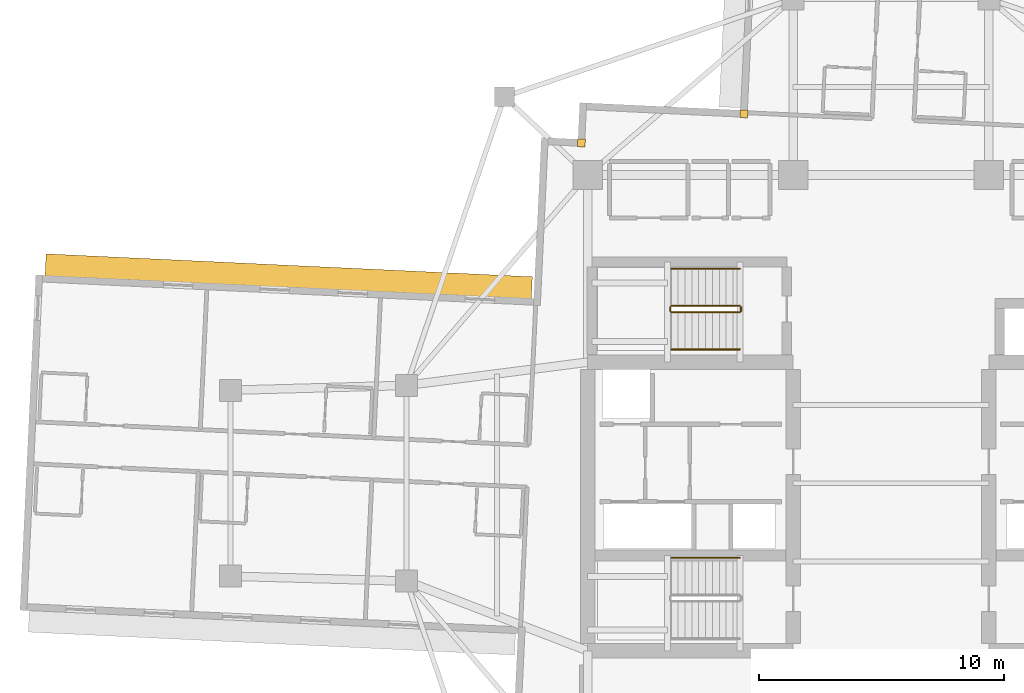
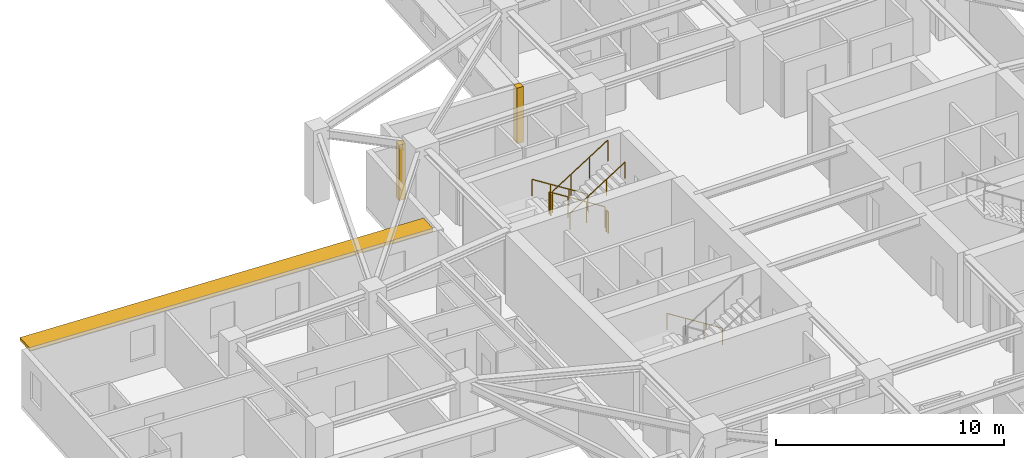
# One storey, part 13 of 14: 7 railings, 2 coverings, 1 shading device.
"""IFC4 building model written with IfcOpenShell, lengths in metres."""

from ifc_helpers import new_model, si_unit, direction, frame, origin, origin_2d, place, context, subcontext, project, spatial, rectangle, circle, extrude, material, layer, layer_set, type_object, element, save


model = new_model("IFC4")

# Units and contexts
model_context = context("Model", 3, precision=1e-05, world=origin(), true_north=direction((0.0, 1.0)))
body_context = subcontext(model_context, "Body", "Model", "MODEL_VIEW")
ifc_project = project(units=[si_unit("LENGTHUNIT", "METRE"), si_unit("AREAUNIT", "SQUARE_METRE"), si_unit("VOLUMEUNIT", "CUBIC_METRE"), si_unit("PLANEANGLEUNIT", "RADIAN"), si_unit("MASSUNIT", "GRAM", prefix="KILO")], contexts=[model_context])

# Site, building, storey
site_placement = place(None, origin())
site = spatial("IfcSite", under=ifc_project, at=site_placement, CompositionType="ELEMENT")
building_placement = place(site_placement, origin())
building = spatial("IfcBuilding", under=site, at=building_placement, Name="Qingluan Cross Belvedere", CompositionType="ELEMENT")
storey_placement = place(building_placement, frame((0.0, 0.0, 172.199951171875)))
storey = spatial("IfcBuildingStorey", under=building, at=storey_placement, Name="L43", CompositionType="ELEMENT", Elevation=172.199951171875)

# Coverings
ifc_material_1 = material(Name="Precast concrete C45", Category="concrete")
ifc_layer_1 = layer(ifc_material_1, 0.1201171875, Name="ConcreteSpandrelCladding_120")
ifc_layer_set_1 = layer_set([ifc_layer_1], Name="Precast concrete C45")
covering_type = type_object("IfcCoveringType", Name="ConcreteSpandrelCladding_120", PredefinedType="CLADDING", material=ifc_layer_set_1)
for number, where, z_axis, x_axis, name in (
    (1, (-12.65869140625, 13.911865234375, 0.0), (0.0, 0.0, 1.0), (0.998889874962, -0.04710645071, 0.0), "Corner closure L43-NW1"),
    (2, (-6.015380859375, 15.10009765625, 0.0), (0.0, 0.0, 1.0), (0.998889874962, -0.04710645071, 0.0), "Corner closure L43-NW2"),
):
    element("IfcCovering", number, at=place(storey_placement, frame(where, z_axis=z_axis, x_axis=x_axis)), inside=storey, type_object=covering_type, Name=name, PredefinedType="CLADDING", context=body_context, shape_type="SweptSolid", body=[
        extrude(rectangle(XDim=0.320068359375, YDim=0.320068359375, at=origin_2d()), origin(), (0.0, 0.0, 1.0), 2.969970703125),
    ])

# Shading device
ifc_material_2 = material(Name="Precast concrete C45", Category="concrete")
ifc_layer_2 = layer(ifc_material_2, 0.159912109375, Name="ConcreteSunshadeBand_900")
ifc_layer_set_2 = layer_set([ifc_layer_2], Name="Precast concrete C45")
shading_device_type = type_object("IfcShadingDeviceType", Name="ConcreteSunshadeBand_900", PredefinedType="USERDEFINED", material=ifc_layer_set_2)
shading_device_placement = place(storey_placement, frame((-24.618896484375, 8.458984375, 2.7900390625), z_axis=(0.0, 0.0, 1.0), x_axis=(-0.998889958255, 0.047104684445, 0.0)))
element("IfcShadingDevice", 3, at=shading_device_placement, inside=storey, type_object=shading_device_type, Name="Concrete SUNSHADE L43-WA", ObjectType="SUNSHADE", PredefinedType="USERDEFINED", context=body_context, shape_type="SweptSolid", body=[
    extrude(rectangle(XDim=19.89990234375, YDim=0.89990234375, at=origin_2d()), origin(), (0.0, 0.0, 1.0), 0.159912109375),
])

# Railings
ifc_material_3 = material(Name="Brushed stainless steel tubular handrail", Category="steel")
railing_type_1 = type_object("IfcRailingType", Name="StairPitchHandrail_900", PredefinedType="HANDRAIL", material=ifc_material_3)
for number, where, name in (
    (4, (-6.179931640625, -3.050048828125, 0.17724609375), "L43 ST1 stair handrail 1"),
    (5, (-6.179931640625, 8.77001953125, 0.17724609375), "L43 ST3 stair handrail 1"),
):
    element("IfcRailing", number, at=place(storey_placement, frame(where)), inside=storey, type_object=railing_type_1, Name=name, PredefinedType="HANDRAIL", context=body_context, shape_type="SweptSolid", body=[
        extrude(circle(Radius=0.02392578125, at=origin_2d()), frame((0.0, 0.0, 0.8759765625), z_axis=(-0.844908973607, 0.0, 0.534910110503), x_axis=(0.0, -1.0, 0.0)), (0.0, 0.0, 1.0), 3.31396484375),
        extrude(circle(Radius=0.02099609375, at=origin_2d()), origin(), (0.0, 0.0, 1.0), 0.851806640625),
        extrude(circle(Radius=0.02099609375, at=origin_2d()), frame((-0.933349609375, 0.0, 0.5908203125)), (0.0, 0.0, 1.0), 0.851806640625),
        extrude(circle(Radius=0.02099609375, at=origin_2d()), frame((-1.86669921875, 0.0, 1.181884765625)), (0.0, 0.0, 1.0), 0.851806640625),
        extrude(circle(Radius=0.02099609375, at=origin_2d()), frame((-2.800048828125, 0.0, 1.772705078125)), (0.0, 0.0, 1.0), 0.851806640625),
    ])
railing_1_placement = place(storey_placement, frame((-8.97998046875, 5.469970703125, 2.12744140625)))
element("IfcRailing", 6, at=railing_1_placement, inside=storey, type_object=railing_type_1, Name="L43 ST3 stair handrail 2", PredefinedType="HANDRAIL", context=body_context, shape_type="SweptSolid", body=[
    extrude(circle(Radius=0.02392578125, at=origin_2d()), frame((0.0, 0.0, 0.8759765625), z_axis=(0.844908973607, 0.0, 0.534910110503), x_axis=(0.0, 1.0, 0.0)), (0.0, 0.0, 1.0), 3.31396484375),
    extrude(circle(Radius=0.02099609375, at=origin_2d()), origin(), (0.0, 0.0, 1.0), 0.851806640625),
    extrude(circle(Radius=0.02099609375, at=origin_2d()), frame((0.933349609375, 0.0, 0.5908203125)), (0.0, 0.0, 1.0), 0.851806640625),
    extrude(circle(Radius=0.02099609375, at=origin_2d()), frame((1.86669921875, 0.0, 1.181884765625)), (0.0, 0.0, 1.0), 0.851806640625),
    extrude(circle(Radius=0.02099609375, at=origin_2d()), frame((2.800048828125, 0.0, 1.772705078125)), (0.0, 0.0, 1.0), 0.851806640625),
])
ifc_material_4 = material(Name="Painted steel stair well guard", Category="steel")
railing_type_2 = type_object("IfcRailingType", Name="StairWellGuard_1150", PredefinedType="BALUSTRADE", material=ifc_material_4)
railing_2_placement = place(storey_placement, frame((-6.179931640625, 7.25, 0.17724609375)))
element("IfcRailing", 7, at=railing_2_placement, inside=storey, type_object=railing_type_2, Name="L43 ST3 stair guard 1", PredefinedType="BALUSTRADE", context=body_context, shape_type="SweptSolid", body=[
    extrude(circle(Radius=0.02392578125, at=origin_2d()), frame((0.0, 0.0, 1.1259765625), z_axis=(-0.844908973607, 0.0, 0.534910110503), x_axis=(0.0, -1.0, 0.0)), (0.0, 0.0, 1.0), 3.31396484375),
    extrude(circle(Radius=0.02099609375, at=origin_2d()), origin(), (0.0, 0.0, 1.0), 1.101806640625),
    extrude(circle(Radius=0.02099609375, at=origin_2d()), frame((-0.933349609375, 0.0, 0.5908203125)), (0.0, 0.0, 1.0), 1.101806640625),
    extrude(circle(Radius=0.02099609375, at=origin_2d()), frame((-1.86669921875, 0.0, 1.181884765625)), (0.0, 0.0, 1.0), 1.101806640625),
    extrude(circle(Radius=0.02099609375, at=origin_2d()), frame((-2.800048828125, 0.0, 1.772705078125)), (0.0, 0.0, 1.0), 1.101806640625),
])
railing_3_placement = place(storey_placement, frame((-9.030029296875, 7.199951171875, 1.949951171875)))
element("IfcRailing", 8, at=railing_3_placement, inside=storey, type_object=railing_type_2, Name="L43 ST3 stair guard 2", PredefinedType="BALUSTRADE", context=body_context, shape_type="SweptSolid", body=[
    extrude(circle(Radius=0.02392578125, at=origin_2d()), frame((0.0, 0.0, 1.1259765625), z_axis=(0.0, -1.0, 0.0), x_axis=(1.0, 0.0, 0.0)), (0.0, 0.0, 1.0), 0.159912109375),
    extrude(circle(Radius=0.02099609375, at=origin_2d()), origin(), (0.0, 0.0, 1.0), 1.101806640625),
    extrude(circle(Radius=0.02099609375, at=origin_2d()), frame((0.0, -0.159912109375, 0.0)), (0.0, 0.0, 1.0), 1.101806640625),
])
railing_4_placement = place(storey_placement, frame((-8.97998046875, 6.989990234375, 2.12744140625)))
element("IfcRailing", 9, at=railing_4_placement, inside=storey, type_object=railing_type_2, Name="L43 ST3 stair guard 3", PredefinedType="BALUSTRADE", context=body_context, shape_type="SweptSolid", body=[
    extrude(circle(Radius=0.02392578125, at=origin_2d()), frame((0.0, 0.0, 1.1259765625), z_axis=(0.844908973607, 0.0, 0.534910110503), x_axis=(0.0, 1.0, 0.0)), (0.0, 0.0, 1.0), 3.31396484375),
    extrude(circle(Radius=0.02099609375, at=origin_2d()), origin(), (0.0, 0.0, 1.0), 1.101806640625),
    extrude(circle(Radius=0.02099609375, at=origin_2d()), frame((0.933349609375, 0.0, 0.5908203125)), (0.0, 0.0, 1.0), 1.101806640625),
    extrude(circle(Radius=0.02099609375, at=origin_2d()), frame((1.86669921875, 0.0, 1.181884765625)), (0.0, 0.0, 1.0), 1.101806640625),
    extrude(circle(Radius=0.02099609375, at=origin_2d()), frame((2.800048828125, 0.0, 1.772705078125)), (0.0, 0.0, 1.0), 1.101806640625),
])
railing_5_placement = place(storey_placement, frame((-6.1298828125, 7.199951171875, 0.0)))
element("IfcRailing", 10, at=railing_5_placement, inside=storey, type_object=railing_type_2, Name="L43 ST3 stair guard 4", PredefinedType="BALUSTRADE", context=body_context, shape_type="SweptSolid", body=[
    extrude(circle(Radius=0.02392578125, at=origin_2d()), frame((0.0, 0.0, 1.1259765625), z_axis=(0.0, -1.0, 0.0), x_axis=(1.0, 0.0, 0.0)), (0.0, 0.0, 1.0), 0.159912109375),
    extrude(circle(Radius=0.02099609375, at=origin_2d()), origin(), (0.0, 0.0, 1.0), 1.101806640625),
    extrude(circle(Radius=0.02099609375, at=origin_2d()), frame((0.0, -0.159912109375, 0.0)), (0.0, 0.0, 1.0), 1.101806640625),
])

save(model, "model.ifc")
